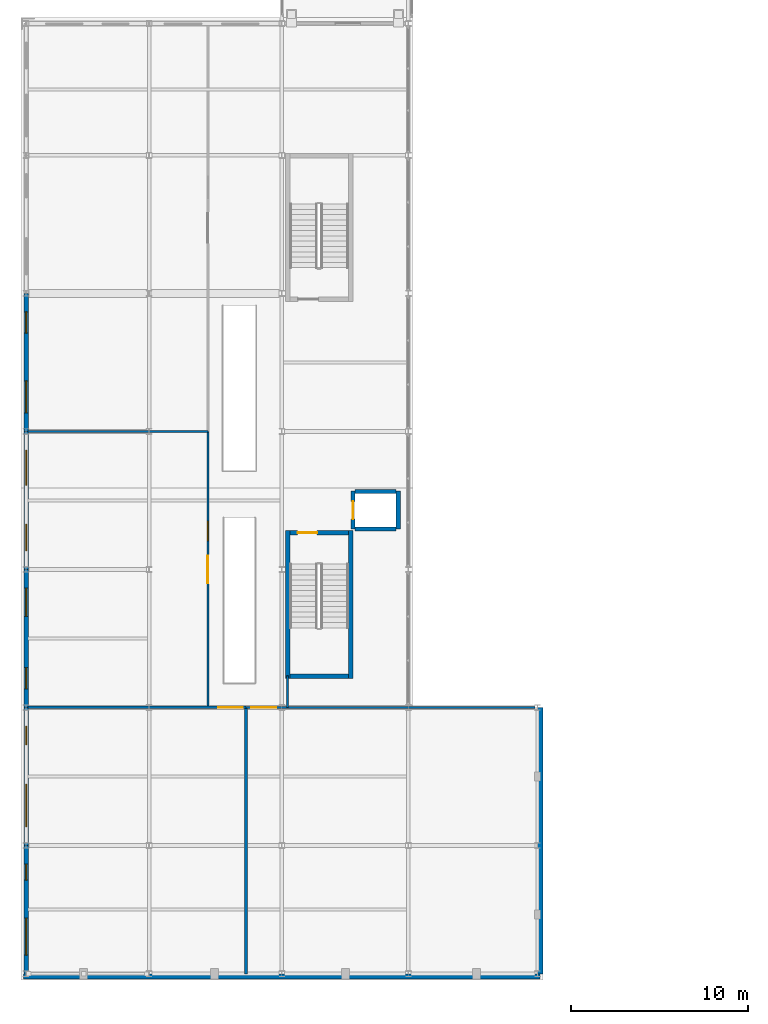
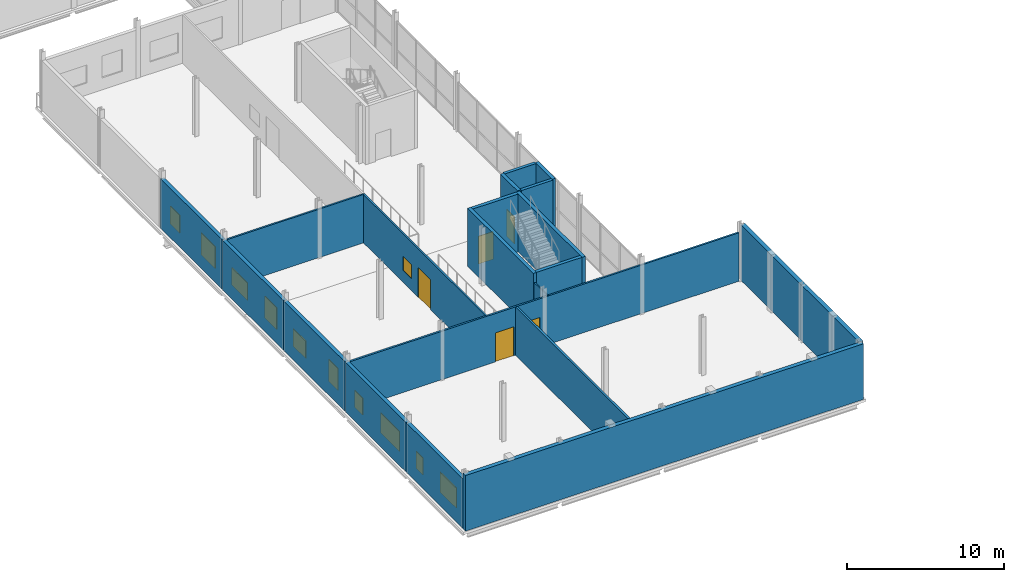
# One storey, part 62 of 77: 21 walls, 11 windows, 5 doors, 16 openings.
"""IFC4 building model written with IfcOpenShell, lengths in metres."""

from ifc_helpers import new_model, si_unit, direction, frame, frame_2d, origin, place, context, subcontext, project, spatial, rectangle, extrude, material, layer, layer_set, type_object, element, fill, save


model = new_model("IFC4")

# Units and contexts
model_context = context("Model", 3, precision=1e-05, world=origin(), true_north=direction((0.0, 1.0)))
body_context = subcontext(model_context, "Body", "Model", "MODEL_VIEW")
ifc_project = project(units=[si_unit("LENGTHUNIT", "METRE"), si_unit("AREAUNIT", "SQUARE_METRE"), si_unit("VOLUMEUNIT", "CUBIC_METRE"), si_unit("PLANEANGLEUNIT", "RADIAN"), si_unit("MASSUNIT", "GRAM", prefix="KILO")], contexts=[model_context])

# Site, building, storey
site_placement = place(None, origin())
site = spatial("IfcSite", under=ifc_project, at=site_placement, CompositionType="ELEMENT")
building_placement = place(site_placement, origin())
building = spatial("IfcBuilding", under=site, at=building_placement, Name="Quillay Park Conservatory", CompositionType="ELEMENT")
storey_placement = place(building_placement, frame((0.0, 0.0, 5.39990234375)))
storey = spatial("IfcBuildingStorey", under=building, at=storey_placement, Name="L01", CompositionType="ELEMENT", Elevation=5.39990234375)

# Wall
ifc_material_1 = material(Name="Steel-Stud Acoustic Gypsum Board Partition", Category="steel")
ifc_layer_1 = layer(ifc_material_1, 0.10009765625)
ifc_layer_set_1 = layer_set([ifc_layer_1], Name="ACOUSTIC GYPSUM PARTITION 100 (Steel-Stud Acoustic Gypsum Board Partition)")
wall_type_1 = type_object("IfcWallType", Name="ACOUSTIC GYPSUM PARTITION 100", PredefinedType="PARTITIONING", material=ifc_layer_set_1)
wall_1_placement = place(storey_placement, frame((15.320068359375, 15.60009765625, 0.0), z_axis=(0.0, 0.0, 1.0), x_axis=(0.0, 1.0, 0.0)))
element("IfcWall", 1, at=wall_1_placement, inside=storey, type_object=wall_type_1, Name="L01 V3 Core South-West Closure", PredefinedType="PARTITIONING", context=body_context, shape_type="SweptSolid", body=[
    extrude(rectangle(XDim=1.77978515625, YDim=0.10009765625, at=frame_2d((0.889892578125, 0.0))), origin(), (0.0, 0.0, 1.0), 3.756103515625),
])

# Wall, openings, window, door
ifc_material_2 = material(Name="Steel-Stud Acoustic Gypsum Board Partition", Category="steel")
ifc_layer_2 = layer(ifc_material_2, 0.1201171875)
ifc_layer_set_2 = layer_set([ifc_layer_2], Name="ACOUSTIC GYPSUM PARTITION 120 (Steel-Stud Acoustic Gypsum Board Partition)")
wall_type_2 = type_object("IfcWallType", Name="ACOUSTIC GYPSUM PARTITION 120", PredefinedType="PARTITIONING", material=ifc_layer_set_2)
wall_2_placement = place(storey_placement, frame((10.820068359375, 15.60009765625, 0.0), z_axis=(0.0, 0.0, 1.0), x_axis=(0.0, 1.0, 0.0)))
wall_2 = element("IfcWall", 2, at=wall_2_placement, inside=storey, type_object=wall_type_2, Name="L01 Classroom 102 East Wall", PredefinedType="PARTITIONING", context=body_context, shape_type="SweptSolid", body=[
    extrude(rectangle(XDim=15.599853515625, YDim=0.1201171875, at=frame_2d((7.7998046875, 0.0))), origin(), (0.0, 0.0, 1.0), 3.756103515625),
])
opening_1_placement = place(wall_2_placement, frame((7.02490234375, 0.0, 0.0)))
opening_1 = element("IfcOpeningElement", 3, at=opening_1_placement, cuts=wall_2, Name="Opening D-RM26", PredefinedType="OPENING", context=body_context, shape_type="SweptSolid", body=[
    extrude(rectangle(XDim=1.550048828125, YDim=2.300048828125, at=frame_2d((0.77490234375, 1.14990234375))), frame((0.0, 0.06005859375, 0.0), z_axis=(0.0, -1.0, 0.0), x_axis=(1.0, 0.0, 0.0)), (0.0, 0.0, 1.0), 0.1201171875),
])
opening_2_placement = place(wall_2_placement, frame((9.425048828125, 0.0, 0.919921875)))
opening_2 = element("IfcOpeningElement", 4, at=opening_2_placement, cuts=wall_2, Name="Opening W-IN03", PredefinedType="OPENING", context=body_context, shape_type="SweptSolid", body=[
    extrude(rectangle(XDim=1.10009765625, YDim=1.10009765625, at=frame_2d((0.550048828125, 0.550048828125))), frame((0.0, 0.06005859375, 0.0), z_axis=(0.0, -1.0, 0.0), x_axis=(1.0, 0.0, 0.0)), (0.0, 0.0, 1.0), 0.1201171875),
])
ifc_material_3 = material(Name="Low-E Double Glazing (Laminated Tempered)", Category="glass")
window_type_1 = type_object("IfcWindowType", Name="OPERABLE VENT WINDOW 1100 X1100", PartitioningType="SINGLE_PANEL", PredefinedType="WINDOW", material=ifc_material_3)
window_1_placement = place(opening_2_placement, origin())
window_1 = element("IfcWindow", 5, at=window_1_placement, inside=storey, type_object=window_type_1, Name="L01 Laboratory Vision Panel 003", OverallHeight=1.10009765625, OverallWidth=1.10009765625, PartitioningType="SINGLE_PANEL", PredefinedType="WINDOW", context=body_context, shape_type="SweptSolid", body=[
    extrude(rectangle(XDim=1.10009765625, YDim=1.10009765625, at=frame_2d((0.550048828125, 0.550048828125))), frame((0.0, 0.030029296875, 0.0), z_axis=(0.0, -1.0, 0.0), x_axis=(1.0, 0.0, 0.0)), (0.0, 0.0, 1.0), 0.06005859375),
])
fill(opening_2, window_1)
ifc_material_4 = material(Name="Thermally Broken Anodised Aluminium 6063-T6", Category="aluminium")
door_type_1 = type_object("IfcDoorType", Name="SINGLE SWING DOOR 1550 X2300", OperationType="NOTDEFINED", PredefinedType="DOOR", material=ifc_material_4)
door_1_placement = place(opening_1_placement, origin())
door_1 = element("IfcDoor", 6, at=door_1_placement, inside=storey, type_object=door_type_1, Name="L01 Door to Botanical Teaching Classroom 102", OperationType="SINGLE_SWING_RIGHT", OverallHeight=2.300048828125, OverallWidth=1.550048828125, PredefinedType="DOOR", context=body_context, shape_type="SweptSolid", body=[
    extrude(rectangle(XDim=1.550048828125, YDim=2.300048828125, at=frame_2d((0.77490234375, 1.14990234375))), frame((0.0, 0.02490234375, 0.0), z_axis=(0.0, -1.0, 0.0), x_axis=(1.0, 0.0, 0.0)), (0.0, 0.0, 1.0), 0.050048828125),
])
fill(opening_1, door_1)

# Wall
ifc_material_5 = material(Name="Steel-Stud Acoustic Gypsum Board Partition", Category="steel")
ifc_layer_3 = layer(ifc_material_5, 0.125)
ifc_layer_set_3 = layer_set([ifc_layer_3], Name="ACOUSTIC GYPSUM PARTITION 125 (Steel-Stud Acoustic Gypsum Board Partition)")
wall_type_3 = type_object("IfcWallType", Name="ACOUSTIC GYPSUM PARTITION 125", PredefinedType="PARTITIONING", material=ifc_layer_set_3)
wall_3_placement = place(storey_placement, frame((0.64990234375, 31.199951171875, 0.0), z_axis=(0.0, 0.0, 1.0), x_axis=(1.0, 0.0, 0.0)))
element("IfcWall", 7, at=wall_3_placement, inside=storey, type_object=wall_type_3, Name="L01 Classroom 102-Studio Divider", PredefinedType="PARTITIONING", context=body_context, shape_type="SweptSolid", body=[
    extrude(rectangle(XDim=10.170166015625, YDim=0.125, at=frame_2d((5.0849609375, 0.0))), origin(), (0.0, 0.0, 1.0), 3.756103515625),
])

# Wall, opening, door
ifc_material_6 = material(Name="Steel-Stud Acoustic Gypsum Board Partition", Category="steel")
ifc_layer_4 = layer(ifc_material_6, 0.1298828125)
ifc_layer_set_4 = layer_set([ifc_layer_4], Name="ACOUSTIC GYPSUM PARTITION 130 (Steel-Stud Acoustic Gypsum Board Partition)")
wall_type_4 = type_object("IfcWallType", Name="ACOUSTIC GYPSUM PARTITION 130", PredefinedType="PARTITIONING", material=ifc_layer_set_4)
wall_4_placement = place(storey_placement, frame((12.97998046875, 15.60009765625, 0.0), z_axis=(0.0, 0.0, 1.0), x_axis=(1.0, 0.0, 0.0)))
wall_4 = element("IfcWall", 8, at=wall_4_placement, inside=storey, type_object=wall_type_4, Name="L01 Seminar B North Wall", PredefinedType="PARTITIONING", context=body_context, shape_type="SweptSolid", body=[
    extrude(rectangle(XDim=16.320556640625, YDim=0.1298828125, at=frame_2d((8.16015625, 0.0))), origin(), (0.0, 0.0, 1.0), 3.756103515625),
])
opening_3_placement = place(wall_4_placement, frame((0.2900390625, 0.0, 0.0)))
opening_3 = element("IfcOpeningElement", 9, at=opening_3_placement, cuts=wall_4, Name="Opening D-RM25", PredefinedType="OPENING", context=body_context, shape_type="SweptSolid", body=[
    extrude(rectangle(XDim=1.419921875, YDim=2.300048828125, at=frame_2d((0.7099609375, 1.14990234375))), frame((0.0, 0.06494140625, 0.0), z_axis=(0.0, -1.0, 0.0), x_axis=(1.0, 0.0, 0.0)), (0.0, 0.0, 1.0), 0.1298828125),
])
ifc_material_7 = material(Name="Thermally Broken Anodised Aluminium 6063-T6", Category="aluminium")
door_type_2 = type_object("IfcDoorType", Name="SINGLE SWING DOOR 1420 X2300", OperationType="NOTDEFINED", PredefinedType="DOOR", material=ifc_material_7)
door_2_placement = place(opening_3_placement, origin())
door_2 = element("IfcDoor", 10, at=door_2_placement, inside=storey, type_object=door_type_2, Name="L01 Door to Botanical Symposium Seminar Room B", OperationType="SINGLE_SWING_LEFT", OverallHeight=2.300048828125, OverallWidth=1.419921875, PredefinedType="DOOR", context=body_context, shape_type="SweptSolid", body=[
    extrude(rectangle(XDim=1.419921875, YDim=2.300048828125, at=frame_2d((0.7099609375, 1.14990234375))), frame((0.0, 0.02490234375, 0.0), z_axis=(0.0, -1.0, 0.0), x_axis=(1.0, 0.0, 0.0)), (0.0, 0.0, 1.0), 0.050048828125),
])
fill(opening_3, door_2)

ifc_material_8 = material(Name="Steel-Stud Acoustic Gypsum Board Partition", Category="steel")
ifc_layer_5 = layer(ifc_material_8, 0.139892578125)
ifc_layer_set_5 = layer_set([ifc_layer_5], Name="ACOUSTIC GYPSUM PARTITION 140 (Steel-Stud Acoustic Gypsum Board Partition)")
wall_type_5 = type_object("IfcWallType", Name="ACOUSTIC GYPSUM PARTITION 140", PredefinedType="PARTITIONING", material=ifc_layer_set_5)
wall_5_placement = place(storey_placement, frame((0.64990234375, 15.60009765625, 0.0), z_axis=(0.0, 0.0, 1.0), x_axis=(1.0, 0.0, 0.0)))
wall_5 = element("IfcWall", 11, at=wall_5_placement, inside=storey, type_object=wall_type_5, Name="L01 Classroom 101 North Wall", PredefinedType="PARTITIONING", context=body_context, shape_type="SweptSolid", body=[
    extrude(rectangle(XDim=12.330078125, YDim=0.139892578125, at=frame_2d((6.1650390625, 0.0))), origin(), (0.0, 0.0, 1.0), 3.756103515625),
])
opening_4_placement = place(wall_5_placement, frame((10.77001953125, 0.0, 0.0)))
opening_4 = element("IfcOpeningElement", 12, at=opening_4_placement, cuts=wall_5, Name="Opening D-RM24", PredefinedType="OPENING", context=body_context, shape_type="SweptSolid", body=[
    extrude(rectangle(XDim=1.360107421875, YDim=2.25, at=frame_2d((0.68017578125, 1.125))), frame((0.0, 0.06982421875, 0.0), z_axis=(0.0, -1.0, 0.0), x_axis=(1.0, 0.0, 0.0)), (0.0, 0.0, 1.0), 0.139892578125),
])
ifc_material_9 = material(Name="Thermally Broken Anodised Aluminium 6063-T6", Category="aluminium")
door_type_3 = type_object("IfcDoorType", Name="SINGLE SWING DOOR 1360 X2250", OperationType="NOTDEFINED", PredefinedType="DOOR", material=ifc_material_9)
door_3_placement = place(opening_4_placement, origin())
door_3 = element("IfcDoor", 13, at=door_3_placement, inside=storey, type_object=door_type_3, Name="L01 Door to Botanical Teaching Classroom 101", OperationType="SINGLE_SWING_RIGHT", OverallHeight=2.25, OverallWidth=1.360107421875, PredefinedType="DOOR", context=body_context, shape_type="SweptSolid", body=[
    extrude(rectangle(XDim=1.360107421875, YDim=2.25, at=frame_2d((0.68017578125, 1.125))), frame((0.0, 0.02490234375, 0.0), z_axis=(0.0, -1.0, 0.0), x_axis=(1.0, 0.0, 0.0)), (0.0, 0.0, 1.0), 0.050048828125),
])
fill(opening_4, door_3)

# Walls
ifc_material_10 = material(Name="Steel-Stud Acoustic Gypsum Board Partition", Category="steel")
ifc_layer_6 = layer(ifc_material_10, 0.14990234375)
ifc_layer_set_6 = layer_set([ifc_layer_6], Name="ACOUSTIC GYPSUM PARTITION 150 (Steel-Stud Acoustic Gypsum Board Partition)")
wall_type_6 = type_object("IfcWallType", Name="ACOUSTIC GYPSUM PARTITION 150", PredefinedType="PARTITIONING", material=ifc_layer_set_6)
wall_6_placement = place(storey_placement, frame((12.97998046875, 0.550048828125, 0.0), z_axis=(0.0, 0.0, 1.0), x_axis=(0.0, 1.0, 0.0)))
element("IfcWall", 14, at=wall_6_placement, inside=storey, type_object=wall_type_6, Name="L01 Classroom-Seminar Divider", PredefinedType="PARTITIONING", context=body_context, shape_type="SweptSolid", body=[
    extrude(rectangle(XDim=15.050048828125, YDim=0.14990234375, at=frame_2d((7.52490234375, 0.0))), origin(), (0.0, 0.0, 1.0), 3.756103515625),
])
ifc_material_11 = material(Name="Concrete C35/45 (NCh170 Concrete C35/45)", Category="concrete")
ifc_layer_7 = layer(ifc_material_11, 0.22509765625)
ifc_layer_set_7 = layer_set([ifc_layer_7], Name="CORE SHEAR WALL 225 (Concrete C35/45 (NCh170 Concrete C35/45))")
wall_type_7 = type_object("IfcWallType", Name="CORE SHEAR WALL 225", PredefinedType="SHEAR", material=ifc_layer_set_7)
for number, where, z_axis, x_axis, name in (
    (15, (19.14990234375, 25.6875, 0.0), (0.0, 0.0, 1.0), (1.0, 0.0, 0.0), "L01 Core Shear Wall WL-LFV1S-L01"),
    (16, (19.14990234375, 27.8125, 0.0), (0.0, 0.0, 1.0), (1.0, 0.0, 0.0), "L01 Core Shear Wall WL-LFV1N-L01"),
):
    element("IfcWall", number, at=place(storey_placement, frame(where, z_axis=z_axis, x_axis=x_axis)), inside=storey, type_object=wall_type_7, Name=name, PredefinedType="SHEAR", context=body_context, shape_type="SweptSolid", body=[
        extrude(rectangle(XDim=2.300048828125, YDim=0.22509765625, at=frame_2d((1.14990234375, 0.0))), origin(), (0.0, 0.0, 1.0), 4.5),
    ])
ifc_material_12 = material(Name="Concrete C40/50 (NCh170 Concrete C40/50)", Category="concrete")
ifc_layer_8 = layer(ifc_material_12, 0.25)
ifc_layer_set_8 = layer_set([ifc_layer_8], Name="CORE SHEAR WALL 250 (Concrete C40/50 (NCh170 Concrete C40/50))")
wall_type_8 = type_object("IfcWallType", Name="CORE SHEAR WALL 250", PredefinedType="SHEAR", material=ifc_layer_set_8)
for number, where, z_axis, x_axis, name in (
    (17, (15.324951171875, 17.25, 0.0), (0.0, 0.0, 1.0), (0.0, 1.0, 0.0), "L01 Core Shear Wall WL-V1W-L01"),
    (18, (18.89501953125, 17.25, 0.0), (0.0, 0.0, 1.0), (0.0, 1.0, 0.0), "L01 Core Shear Wall WL-V1E-L01"),
):
    element("IfcWall", number, at=place(storey_placement, frame(where, z_axis=z_axis, x_axis=x_axis)), inside=storey, type_object=wall_type_8, Name=name, PredefinedType="SHEAR", context=body_context, shape_type="SweptSolid", body=[
        extrude(rectangle(XDim=8.35009765625, YDim=0.25, at=frame_2d((4.175048828125, 0.0))), origin(), (0.0, 0.0, 1.0), 4.5),
    ])
wall_7_placement = place(storey_placement, frame((15.449951171875, 17.375, 0.0), z_axis=(0.0, 0.0, 1.0), x_axis=(1.0, 0.0, 0.0)))
element("IfcWall", 19, at=wall_7_placement, inside=storey, type_object=wall_type_8, Name="L01 Core Shear Wall WL-V1S-L01", PredefinedType="SHEAR", context=body_context, shape_type="SweptSolid", body=[
    extrude(rectangle(XDim=3.320068359375, YDim=0.25, at=frame_2d((1.66015625, 0.0))), origin(), (0.0, 0.0, 1.0), 4.5),
])

# Wall, opening, door
wall_8_placement = place(storey_placement, frame((15.449951171875, 25.47509765625, 0.0), z_axis=(0.0, 0.0, 1.0), x_axis=(1.0, 0.0, 0.0)))
wall_8 = element("IfcWall", 20, at=wall_8_placement, inside=storey, type_object=wall_type_8, Name="L01 Core Shear Wall WL-V1D-L01", PredefinedType="SHEAR", context=body_context, shape_type="SweptSolid", body=[
    extrude(rectangle(XDim=3.320068359375, YDim=0.25, at=frame_2d((1.66015625, 0.0))), origin(), (0.0, 0.0, 1.0), 4.5),
])
opening_5_placement = place(wall_8_placement, frame((0.449951171875, 0.0, 0.0)))
opening_5 = element("IfcOpeningElement", 21, at=opening_5_placement, cuts=wall_8, Name="Opening D-ST01", PredefinedType="OPENING", context=body_context, shape_type="SweptSolid", body=[
    extrude(rectangle(XDim=1.10009765625, YDim=2.14990234375, at=frame_2d((0.550048828125, 1.074951171875))), frame((0.0, 0.125, 0.0), z_axis=(0.0, -1.0, 0.0), x_axis=(1.0, 0.0, 0.0)), (0.0, 0.0, 1.0), 0.25),
])
ifc_material_13 = material(Name="Steel ASTM A572 Grade 50", Category="steel")
door_type_4 = type_object("IfcDoorType", Name="FIRE RATED STAIR DOOR 1100 X2150", OperationType="NOTDEFINED", PredefinedType="DOOR", material=ifc_material_13)
door_4_placement = place(opening_5_placement, origin())
door_4 = element("IfcDoor", 22, at=door_4_placement, inside=storey, type_object=door_type_4, Name="L01 Visitor Stair ST-V1 Door", OperationType="SINGLE_SWING_LEFT", OverallHeight=2.14990234375, OverallWidth=1.10009765625, PredefinedType="DOOR", context=body_context, shape_type="SweptSolid", body=[
    extrude(rectangle(XDim=1.10009765625, YDim=2.14990234375, at=frame_2d((0.550048828125, 1.074951171875))), frame((0.0, 0.02490234375, 0.0), z_axis=(0.0, -1.0, 0.0), x_axis=(1.0, 0.0, 0.0)), (0.0, 0.0, 1.0), 0.050048828125),
])
fill(opening_5, door_4)

# Wall
wall_9_placement = place(storey_placement, frame((21.574951171875, 25.675048828125, 0.0), z_axis=(0.0, 0.0, 1.0), x_axis=(0.0, 1.0, 0.0)))
element("IfcWall", 23, at=wall_9_placement, inside=storey, type_object=wall_type_8, Name="L01 Core Shear Wall WL-LFV1B-L01", PredefinedType="SHEAR", context=body_context, shape_type="SweptSolid", body=[
    extrude(rectangle(XDim=2.14990234375, YDim=0.25, at=frame_2d((1.074951171875, 0.0))), origin(), (0.0, 0.0, 1.0), 4.5),
])

# Wall, opening, door
wall_10_placement = place(storey_placement, frame((19.02490234375, 25.675048828125, 0.0), z_axis=(0.0, 0.0, 1.0), x_axis=(0.0, 1.0, 0.0)))
wall_10 = element("IfcWall", 24, at=wall_10_placement, inside=storey, type_object=wall_type_8, Name="L01 Core Shear Wall WL-LFV1F-L01", PredefinedType="SHEAR", context=body_context, shape_type="SweptSolid", body=[
    extrude(rectangle(XDim=2.14990234375, YDim=0.25, at=frame_2d((1.074951171875, 0.0))), origin(), (0.0, 0.0, 1.0), 4.5),
])
opening_6_placement = place(wall_10_placement, frame((0.574951171875, 0.0, 0.0)))
opening_6 = element("IfcOpeningElement", 25, at=opening_6_placement, cuts=wall_10, Name="Opening LD04", PredefinedType="OPENING", context=body_context, shape_type="SweptSolid", body=[
    extrude(rectangle(XDim=1.0, YDim=2.10009765625, at=frame_2d((0.5, 1.050048828125))), frame((0.0, 0.125, 0.0), z_axis=(0.0, -1.0, 0.0), x_axis=(1.0, 0.0, 0.0)), (0.0, 0.0, 1.0), 0.25),
])
ifc_material_14 = material(Name="Steel ASTM A572 Grade 50", Category="steel")
door_type_5 = type_object("IfcDoorType", Name="LIFT LANDING SLIDING DOOR 1000 X2100", OperationType="NOTDEFINED", PredefinedType="DOOR", material=ifc_material_14)
door_5_placement = place(opening_6_placement, origin())
door_5 = element("IfcDoor", 26, at=door_5_placement, inside=storey, type_object=door_type_5, Name="L01 LF-V1 Lift Landing Door LD04", OperationType="SLIDING_TO_LEFT", OverallHeight=2.10009765625, OverallWidth=1.0, PredefinedType="DOOR", context=body_context, shape_type="SweptSolid", body=[
    extrude(rectangle(XDim=1.0, YDim=2.10009765625, at=frame_2d((0.5, 1.050048828125))), frame((0.0, 0.02490234375, 0.0), z_axis=(0.0, -1.0, 0.0), x_axis=(1.0, 0.0, 0.0)), (0.0, 0.0, 1.0), 0.050048828125),
])
fill(opening_6, door_5)

# Wall, openings, windows
ifc_material_15 = material(Name="Glass-Fibre Reinforced Concrete (GRC) Cladding", Category="concrete")
ifc_layer_9 = layer(ifc_material_15, 0.260009765625)
ifc_layer_set_9 = layer_set([ifc_layer_9], Name="EXTERIOR SOLID WALL 260 (Glass-Fibre Reinforced Concrete (GRC) Cladding)")
wall_type_9 = type_object("IfcWallType", Name="EXTERIOR SOLID WALL 260", PredefinedType="SOLIDWALL", material=ifc_layer_set_9)
wall_11_placement = place(storey_placement, frame((0.550048828125, 0.550048828125, 0.0), z_axis=(0.0, 0.0, 1.0), x_axis=(0.0, 1.0, 0.0)))
wall_11 = element("IfcWall", 27, at=wall_11_placement, inside=storey, type_object=wall_type_9, Name="L01 External Wall WL-EXT-V3W-L01-0", PredefinedType="SOLIDWALL", context=body_context, shape_type="SweptSolid", body=[
    extrude(rectangle(XDim=7.25, YDim=0.260009765625, at=frame_2d((3.625, 0.0))), origin(), (0.0, 0.0, 1.0), 3.83203125),
])
opening_7_placement = place(wall_11_placement, frame((1.050048828125, 0.0, 0.919921875)))
opening_7 = element("IfcOpeningElement", 28, at=opening_7_placement, cuts=wall_11, Name="Opening W-10", PredefinedType="OPENING", context=body_context, shape_type="SweptSolid", body=[
    extrude(rectangle(XDim=2.10009765625, YDim=1.550048828125, at=frame_2d((1.050048828125, 0.77490234375))), frame((0.0, 0.1298828125, 0.0), z_axis=(0.0, -1.0, 0.0), x_axis=(1.0, 0.0, 0.0)), (0.0, 0.0, 1.0), 0.260009765625),
])
opening_8_placement = place(wall_11_placement, frame((5.300048828125, 0.0, 0.919921875)))
opening_8 = element("IfcOpeningElement", 29, at=opening_8_placement, cuts=wall_11, Name="Opening W-17", PredefinedType="OPENING", context=body_context, shape_type="SweptSolid", body=[
    extrude(rectangle(XDim=0.89990234375, YDim=1.300048828125, at=frame_2d((0.449951171875, 0.64990234375))), frame((0.0, 0.1298828125, 0.0), z_axis=(0.0, -1.0, 0.0), x_axis=(1.0, 0.0, 0.0)), (0.0, 0.0, 1.0), 0.260009765625),
])
ifc_material_16 = material(Name="Low-E Double Glazing (Laminated Tempered)", Category="glass")
window_type_2 = type_object("IfcWindowType", Name="FIXED CASEMENT WINDOW 2100 X1550", PartitioningType="DOUBLE_PANEL_VERTICAL", PredefinedType="WINDOW", material=ifc_material_16)
window_2_placement = place(opening_7_placement, origin())
window_2 = element("IfcWindow", 30, at=window_2_placement, inside=storey, type_object=window_type_2, Name="L01 Exterior Window 0015", OverallHeight=1.550048828125, OverallWidth=2.10009765625, PartitioningType="DOUBLE_PANEL_VERTICAL", PredefinedType="WINDOW", context=body_context, shape_type="SweptSolid", body=[
    extrude(rectangle(XDim=2.10009765625, YDim=1.550048828125, at=frame_2d((1.050048828125, 0.77490234375))), frame((0.0, 0.030029296875, 0.0), z_axis=(0.0, -1.0, 0.0), x_axis=(1.0, 0.0, 0.0)), (0.0, 0.0, 1.0), 0.06005859375),
])
fill(opening_7, window_2)
ifc_material_17 = material(Name="Low-E Double Glazing (Laminated Tempered)", Category="glass")
window_type_3 = type_object("IfcWindowType", Name="FIXED CASEMENT WINDOW 900 X1300", PartitioningType="SINGLE_PANEL", PredefinedType="WINDOW", material=ifc_material_17)
window_3_placement = place(opening_8_placement, origin())
window_3 = element("IfcWindow", 31, at=window_3_placement, inside=storey, type_object=window_type_3, Name="L01 Exterior Window 0016", OverallHeight=1.300048828125, OverallWidth=0.89990234375, PartitioningType="SINGLE_PANEL", PredefinedType="WINDOW", context=body_context, shape_type="SweptSolid", body=[
    extrude(rectangle(XDim=0.89990234375, YDim=1.300048828125, at=frame_2d((0.449951171875, 0.64990234375))), frame((0.0, 0.030029296875, 0.0), z_axis=(0.0, -1.0, 0.0), x_axis=(1.0, 0.0, 0.0)), (0.0, 0.0, 1.0), 0.06005859375),
])
fill(opening_8, window_3)

wall_12_placement = place(storey_placement, frame((0.550048828125, 7.800048828125, 0.0), z_axis=(0.0, 0.0, 1.0), x_axis=(0.0, 1.0, 0.0)))
wall_12 = element("IfcWall", 32, at=wall_12_placement, inside=storey, type_object=wall_type_9, Name="L01 External Wall WL-EXT-V3W-L01-1", PredefinedType="SOLIDWALL", context=body_context, shape_type="SweptSolid", body=[
    extrude(rectangle(XDim=7.800048828125, YDim=0.260009765625, at=frame_2d((3.89990234375, 0.0))), origin(), (0.0, 0.0, 1.0), 3.83203125),
])
opening_9_placement = place(wall_12_placement, frame((1.050048828125, 0.0, 0.919921875)))
opening_9 = element("IfcOpeningElement", 33, at=opening_9_placement, cuts=wall_12, Name="Opening W-11", PredefinedType="OPENING", context=body_context, shape_type="SweptSolid", body=[
    extrude(rectangle(XDim=2.39990234375, YDim=1.550048828125, at=frame_2d((1.199951171875, 0.77490234375))), frame((0.0, 0.1298828125, 0.0), z_axis=(0.0, -1.0, 0.0), x_axis=(1.0, 0.0, 0.0)), (0.0, 0.0, 1.0), 0.260009765625),
])
opening_10_placement = place(wall_12_placement, frame((5.699951171875, 0.0, 0.919921875)))
opening_10 = element("IfcOpeningElement", 34, at=opening_10_placement, cuts=wall_12, Name="Opening W-18", PredefinedType="OPENING", context=body_context, shape_type="SweptSolid", body=[
    extrude(rectangle(XDim=1.050048828125, YDim=1.300048828125, at=frame_2d((0.52490234375, 0.64990234375))), frame((0.0, 0.1298828125, 0.0), z_axis=(0.0, -1.0, 0.0), x_axis=(1.0, 0.0, 0.0)), (0.0, 0.0, 1.0), 0.260009765625),
])
ifc_material_18 = material(Name="Low-E Double Glazing (Laminated Tempered)", Category="glass")
window_type_4 = type_object("IfcWindowType", Name="FIXED CASEMENT WINDOW 1050 X1300", PartitioningType="SINGLE_PANEL", PredefinedType="WINDOW", material=ifc_material_18)
window_4_placement = place(opening_10_placement, origin())
window_4 = element("IfcWindow", 35, at=window_4_placement, inside=storey, type_object=window_type_4, Name="L01 Exterior Window 0018", OverallHeight=1.300048828125, OverallWidth=1.050048828125, PartitioningType="SINGLE_PANEL", PredefinedType="WINDOW", context=body_context, shape_type="SweptSolid", body=[
    extrude(rectangle(XDim=1.050048828125, YDim=1.300048828125, at=frame_2d((0.52490234375, 0.64990234375))), frame((0.0, 0.030029296875, 0.0), z_axis=(0.0, -1.0, 0.0), x_axis=(1.0, 0.0, 0.0)), (0.0, 0.0, 1.0), 0.06005859375),
])
fill(opening_10, window_4)
ifc_material_19 = material(Name="Low-E Double Glazing (Laminated Tempered)", Category="glass")
window_type_5 = type_object("IfcWindowType", Name="FIXED CASEMENT WINDOW 2400 X1550", PartitioningType="DOUBLE_PANEL_VERTICAL", PredefinedType="WINDOW", material=ifc_material_19)
window_5_placement = place(opening_9_placement, origin())
window_5 = element("IfcWindow", 36, at=window_5_placement, inside=storey, type_object=window_type_5, Name="L01 Exterior Window 0017", OverallHeight=1.550048828125, OverallWidth=2.39990234375, PartitioningType="DOUBLE_PANEL_VERTICAL", PredefinedType="WINDOW", context=body_context, shape_type="SweptSolid", body=[
    extrude(rectangle(XDim=2.39990234375, YDim=1.550048828125, at=frame_2d((1.199951171875, 0.77490234375))), frame((0.0, 0.030029296875, 0.0), z_axis=(0.0, -1.0, 0.0), x_axis=(1.0, 0.0, 0.0)), (0.0, 0.0, 1.0), 0.06005859375),
])
fill(opening_9, window_5)

wall_13_placement = place(storey_placement, frame((0.550048828125, 15.60009765625, 0.0), z_axis=(0.0, 0.0, 1.0), x_axis=(0.0, 1.0, 0.0)))
wall_13 = element("IfcWall", 37, at=wall_13_placement, inside=storey, type_object=wall_type_9, Name="L01 External Wall WL-EXT-V3W-L01-2", PredefinedType="SOLIDWALL", context=body_context, shape_type="SweptSolid", body=[
    extrude(rectangle(XDim=7.7998046875, YDim=0.260009765625, at=frame_2d((3.89990234375, 0.0))), origin(), (0.0, 0.0, 1.0), 3.83203125),
])
opening_11_placement = place(wall_13_placement, frame((1.050048828125, 0.0, 0.919921875)))
opening_11 = element("IfcOpeningElement", 38, at=opening_11_placement, cuts=wall_13, Name="Opening W-12", PredefinedType="OPENING", context=body_context, shape_type="SweptSolid", body=[
    extrude(rectangle(XDim=1.199951171875, YDim=1.699951171875, at=frame_2d((0.60009765625, 0.85009765625))), frame((0.0, 0.1298828125, 0.0), z_axis=(0.0, -1.0, 0.0), x_axis=(1.0, 0.0, 0.0)), (0.0, 0.0, 1.0), 0.260009765625),
])
opening_12_placement = place(wall_13_placement, frame((5.14990234375, 0.0, 0.919921875)))
opening_12 = element("IfcOpeningElement", 39, at=opening_12_placement, cuts=wall_13, Name="Opening W-19", PredefinedType="OPENING", context=body_context, shape_type="SweptSolid", body=[
    extrude(rectangle(XDim=1.60009765625, YDim=1.35009765625, at=frame_2d((0.800048828125, 0.675048828125))), frame((0.0, 0.1298828125, 0.0), z_axis=(0.0, -1.0, 0.0), x_axis=(1.0, 0.0, 0.0)), (0.0, 0.0, 1.0), 0.260009765625),
])
ifc_material_20 = material(Name="Low-E Double Glazing (Laminated Tempered)", Category="glass")
window_type_6 = type_object("IfcWindowType", Name="FIXED CASEMENT WINDOW 1200 X1700", PartitioningType="SINGLE_PANEL", PredefinedType="WINDOW", material=ifc_material_20)
window_6_placement = place(opening_11_placement, origin())
window_6 = element("IfcWindow", 40, at=window_6_placement, inside=storey, type_object=window_type_6, Name="L01 Exterior Window 0019", OverallHeight=1.699951171875, OverallWidth=1.199951171875, PartitioningType="SINGLE_PANEL", PredefinedType="WINDOW", context=body_context, shape_type="SweptSolid", body=[
    extrude(rectangle(XDim=1.199951171875, YDim=1.699951171875, at=frame_2d((0.60009765625, 0.85009765625))), frame((0.0, 0.030029296875, 0.0), z_axis=(0.0, -1.0, 0.0), x_axis=(1.0, 0.0, 0.0)), (0.0, 0.0, 1.0), 0.06005859375),
])
fill(opening_11, window_6)
ifc_material_21 = material(Name="Low-E Double Glazing (Laminated Tempered)", Category="glass")
window_type_7 = type_object("IfcWindowType", Name="FIXED CASEMENT WINDOW 1600 X1350", PartitioningType="DOUBLE_PANEL_VERTICAL", PredefinedType="WINDOW", material=ifc_material_21)
window_7_placement = place(opening_12_placement, origin())
window_7 = element("IfcWindow", 41, at=window_7_placement, inside=storey, type_object=window_type_7, Name="L01 Exterior Window 0020", OverallHeight=1.35009765625, OverallWidth=1.60009765625, PartitioningType="DOUBLE_PANEL_VERTICAL", PredefinedType="WINDOW", context=body_context, shape_type="SweptSolid", body=[
    extrude(rectangle(XDim=1.60009765625, YDim=1.35009765625, at=frame_2d((0.800048828125, 0.675048828125))), frame((0.0, 0.030029296875, 0.0), z_axis=(0.0, -1.0, 0.0), x_axis=(1.0, 0.0, 0.0)), (0.0, 0.0, 1.0), 0.06005859375),
])
fill(opening_12, window_7)

wall_14_placement = place(storey_placement, frame((0.550048828125, 23.39990234375, 0.0), z_axis=(0.0, 0.0, 1.0), x_axis=(0.0, 1.0, 0.0)))
wall_14 = element("IfcWall", 42, at=wall_14_placement, inside=storey, type_object=wall_type_9, Name="L01 External Wall WL-EXT-V3W-L01-3", PredefinedType="SOLIDWALL", context=body_context, shape_type="SweptSolid", body=[
    extrude(rectangle(XDim=7.800048828125, YDim=0.260009765625, at=frame_2d((3.89990234375, 0.0))), origin(), (0.0, 0.0, 1.0), 3.83203125),
])
opening_13_placement = place(wall_14_placement, frame((1.050048828125, 0.0, 0.919921875)))
opening_13 = element("IfcOpeningElement", 43, at=opening_13_placement, cuts=wall_14, Name="Opening W-13", PredefinedType="OPENING", context=body_context, shape_type="SweptSolid", body=[
    extrude(rectangle(XDim=1.5, YDim=1.699951171875, at=frame_2d((0.75, 0.85009765625))), frame((0.0, 0.1298828125, 0.0), z_axis=(0.0, -1.0, 0.0), x_axis=(1.0, 0.0, 0.0)), (0.0, 0.0, 1.0), 0.260009765625),
])
opening_14_placement = place(wall_14_placement, frame((4.75, 0.0, 0.919921875)))
opening_14 = element("IfcOpeningElement", 44, at=opening_14_placement, cuts=wall_14, Name="Opening W-20", PredefinedType="OPENING", context=body_context, shape_type="SweptSolid", body=[
    extrude(rectangle(XDim=2.0, YDim=1.35009765625, at=frame_2d((1.0, 0.675048828125))), frame((0.0, 0.1298828125, 0.0), z_axis=(0.0, -1.0, 0.0), x_axis=(1.0, 0.0, 0.0)), (0.0, 0.0, 1.0), 0.260009765625),
])
ifc_material_22 = material(Name="Low-E Double Glazing (Laminated Tempered)", Category="glass")
window_type_8 = type_object("IfcWindowType", Name="FIXED CASEMENT WINDOW 1500 X1700", PartitioningType="SINGLE_PANEL", PredefinedType="WINDOW", material=ifc_material_22)
window_8_placement = place(opening_13_placement, origin())
window_8 = element("IfcWindow", 45, at=window_8_placement, inside=storey, type_object=window_type_8, Name="L01 Exterior Window 0021", OverallHeight=1.699951171875, OverallWidth=1.5, PartitioningType="SINGLE_PANEL", PredefinedType="WINDOW", context=body_context, shape_type="SweptSolid", body=[
    extrude(rectangle(XDim=1.5, YDim=1.699951171875, at=frame_2d((0.75, 0.85009765625))), frame((0.0, 0.030029296875, 0.0), z_axis=(0.0, -1.0, 0.0), x_axis=(1.0, 0.0, 0.0)), (0.0, 0.0, 1.0), 0.06005859375),
])
fill(opening_13, window_8)
ifc_material_23 = material(Name="Low-E Double Glazing (Laminated Tempered)", Category="glass")
window_type_9 = type_object("IfcWindowType", Name="FIXED CASEMENT WINDOW 2000 X1350", PartitioningType="DOUBLE_PANEL_VERTICAL", PredefinedType="WINDOW", material=ifc_material_23)
window_9_placement = place(opening_14_placement, origin())
window_9 = element("IfcWindow", 46, at=window_9_placement, inside=storey, type_object=window_type_9, Name="L01 Exterior Window 0022", OverallHeight=1.35009765625, OverallWidth=2.0, PartitioningType="DOUBLE_PANEL_VERTICAL", PredefinedType="WINDOW", context=body_context, shape_type="SweptSolid", body=[
    extrude(rectangle(XDim=2.0, YDim=1.35009765625, at=frame_2d((1.0, 0.675048828125))), frame((0.0, 0.030029296875, 0.0), z_axis=(0.0, -1.0, 0.0), x_axis=(1.0, 0.0, 0.0)), (0.0, 0.0, 1.0), 0.06005859375),
])
fill(opening_14, window_9)

wall_15_placement = place(storey_placement, frame((0.550048828125, 31.199951171875, 0.0), z_axis=(0.0, 0.0, 1.0), x_axis=(0.0, 1.0, 0.0)))
wall_15 = element("IfcWall", 47, at=wall_15_placement, inside=storey, type_object=wall_type_9, Name="L01 External Wall WL-EXT-V3W-L01-4", PredefinedType="SOLIDWALL", context=body_context, shape_type="SweptSolid", body=[
    extrude(rectangle(XDim=7.800048828125, YDim=0.260009765625, at=frame_2d((3.89990234375, 0.0))), origin(), (0.0, 0.0, 1.0), 3.83203125),
])
opening_15_placement = place(wall_15_placement, frame((1.050048828125, 0.0, 0.919921875)))
opening_15 = element("IfcOpeningElement", 48, at=opening_15_placement, cuts=wall_15, Name="Opening W-14", PredefinedType="OPENING", context=body_context, shape_type="SweptSolid", body=[
    extrude(rectangle(XDim=1.800048828125, YDim=1.699951171875, at=frame_2d((0.89990234375, 0.85009765625))), frame((0.0, 0.1298828125, 0.0), z_axis=(0.0, -1.0, 0.0), x_axis=(1.0, 0.0, 0.0)), (0.0, 0.0, 1.0), 0.260009765625),
])
opening_16_placement = place(wall_15_placement, frame((5.550048828125, 0.0, 0.919921875)))
opening_16 = element("IfcOpeningElement", 49, at=opening_16_placement, cuts=wall_15, Name="Opening W-01", PredefinedType="OPENING", context=body_context, shape_type="SweptSolid", body=[
    extrude(rectangle(XDim=1.199951171875, YDim=1.39990234375, at=frame_2d((0.60009765625, 0.699951171875))), frame((0.0, 0.1298828125, 0.0), z_axis=(0.0, -1.0, 0.0), x_axis=(1.0, 0.0, 0.0)), (0.0, 0.0, 1.0), 0.260009765625),
])
ifc_material_24 = material(Name="Low-E Double Glazing (Laminated Tempered)", Category="glass")
window_type_10 = type_object("IfcWindowType", Name="FIXED CASEMENT WINDOW 1200 X1400", PartitioningType="SINGLE_PANEL", PredefinedType="WINDOW", material=ifc_material_24)
window_10_placement = place(opening_16_placement, origin())
window_10 = element("IfcWindow", 50, at=window_10_placement, inside=storey, type_object=window_type_10, Name="L01 Exterior Window 0024", OverallHeight=1.39990234375, OverallWidth=1.199951171875, PartitioningType="SINGLE_PANEL", PredefinedType="WINDOW", context=body_context, shape_type="SweptSolid", body=[
    extrude(rectangle(XDim=1.199951171875, YDim=1.39990234375, at=frame_2d((0.60009765625, 0.699951171875))), frame((0.0, 0.030029296875, 0.0), z_axis=(0.0, -1.0, 0.0), x_axis=(1.0, 0.0, 0.0)), (0.0, 0.0, 1.0), 0.06005859375),
])
fill(opening_16, window_10)
ifc_material_25 = material(Name="Low-E Double Glazing (Laminated Tempered)", Category="glass")
window_type_11 = type_object("IfcWindowType", Name="FIXED CASEMENT WINDOW 1800 X1700", PartitioningType="DOUBLE_PANEL_VERTICAL", PredefinedType="WINDOW", material=ifc_material_25)
window_11_placement = place(opening_15_placement, origin())
window_11 = element("IfcWindow", 51, at=window_11_placement, inside=storey, type_object=window_type_11, Name="L01 Exterior Window 0023", OverallHeight=1.699951171875, OverallWidth=1.800048828125, PartitioningType="DOUBLE_PANEL_VERTICAL", PredefinedType="WINDOW", context=body_context, shape_type="SweptSolid", body=[
    extrude(rectangle(XDim=1.800048828125, YDim=1.699951171875, at=frame_2d((0.89990234375, 0.85009765625))), frame((0.0, 0.030029296875, 0.0), z_axis=(0.0, -1.0, 0.0), x_axis=(1.0, 0.0, 0.0)), (0.0, 0.0, 1.0), 0.06005859375),
])
fill(opening_15, window_11)

# Walls
ifc_material_26 = material(Name="Concrete C35/45 (NCh170 Concrete C35/45)", Category="concrete")
ifc_layer_10 = layer(ifc_material_26, 0.300048828125)
ifc_layer_set_10 = layer_set([ifc_layer_10], Name="SOLID FIREWALL 300 (Concrete C35/45 (NCh170 Concrete C35/45))")
wall_type_10 = type_object("IfcWallType", Name="SOLID FIREWALL 300", PredefinedType="SOLIDWALL", material=ifc_layer_set_10)
wall_16_placement = place(storey_placement, frame((29.60009765625, 0.39990234375, 0.0), z_axis=(0.0, 0.0, 1.0), x_axis=(-1.0, 0.0, 0.0)))
element("IfcWall", 52, at=wall_16_placement, inside=storey, type_object=wall_type_10, Name="L01 South Party Firewall", PredefinedType="SOLIDWALL", context=body_context, shape_type="SweptSolid", body=[
    extrude(rectangle(XDim=29.2001953125, YDim=0.300048828125, at=frame_2d((14.60009765625, 0.0))), origin(), (0.0, 0.0, 1.0), 4.31005859375),
])
wall_17_placement = place(storey_placement, frame((29.60009765625, 15.60009765625, 0.0), z_axis=(0.0, 0.0, 1.0), x_axis=(0.0, -1.0, 0.0)))
element("IfcWall", 53, at=wall_17_placement, inside=storey, type_object=wall_type_10, Name="L01 Inner-East Party Firewall", PredefinedType="SOLIDWALL", context=body_context, shape_type="SweptSolid", body=[
    extrude(rectangle(XDim=15.050048828125, YDim=0.300048828125, at=frame_2d((7.52490234375, 0.0))), origin(), (0.0, 0.0, 1.0), 4.31005859375),
])

save(model, "model.ifc")
